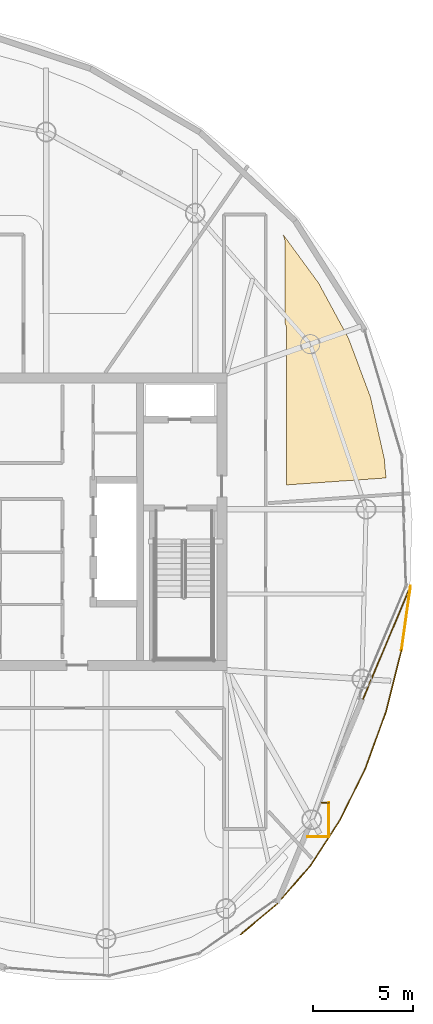
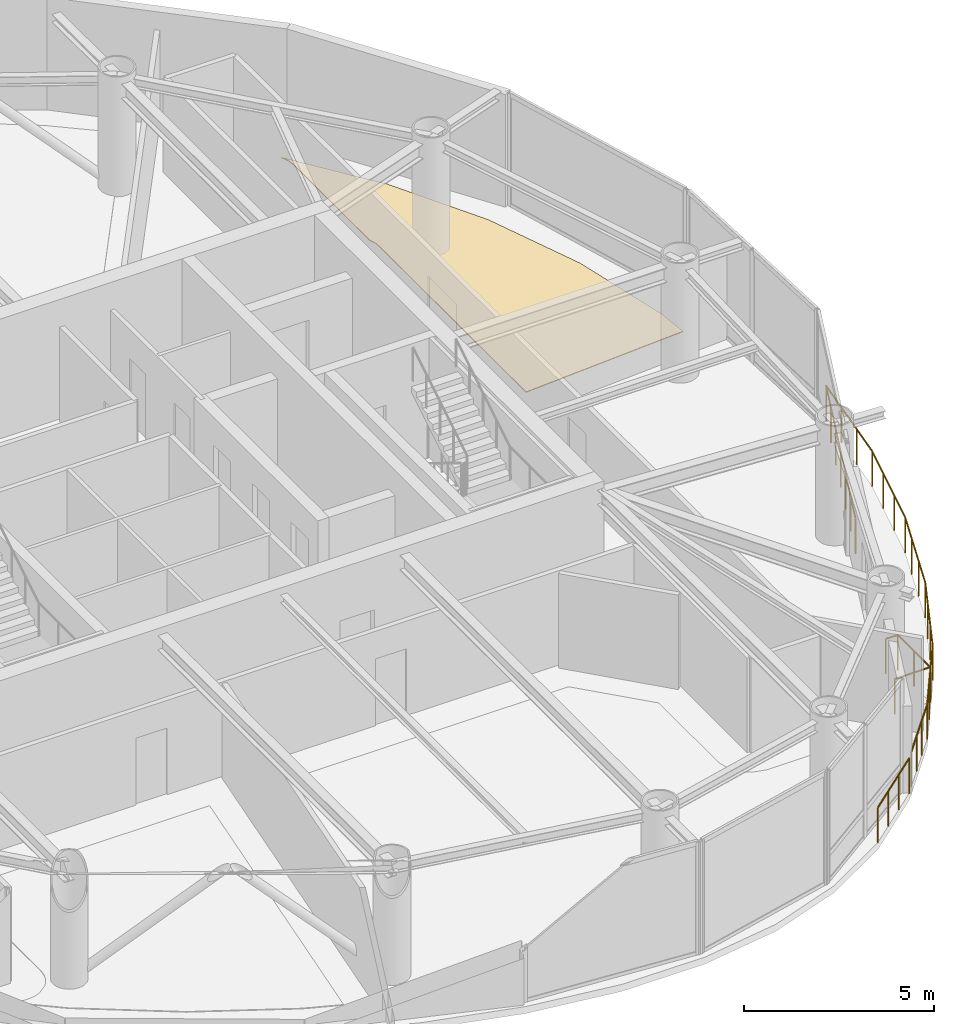
# One storey, part 22 of 23: 11 railings, 1 covering.
"""IFC4 building model written with IfcOpenShell, lengths in metres."""

from ifc_helpers import new_model, si_unit, direction, frame, origin, origin_2d, place, context, subcontext, project, spatial, polyline, circle, outline, extrude, material, layer, layer_set, type_object, element, save


model = new_model("IFC4")

# Units and contexts
model_context = context("Model", 3, precision=1e-05, world=origin(), true_north=direction((0.0, 1.0)))
body_context = subcontext(model_context, "Body", "Model", "MODEL_VIEW")
ifc_project = project(units=[si_unit("LENGTHUNIT", "METRE"), si_unit("AREAUNIT", "SQUARE_METRE"), si_unit("VOLUMEUNIT", "CUBIC_METRE"), si_unit("PLANEANGLEUNIT", "RADIAN"), si_unit("MASSUNIT", "GRAM", prefix="KILO")], contexts=[model_context])

# Site, building, storey
site_placement = place(None, origin())
site = spatial("IfcSite", under=ifc_project, at=site_placement, CompositionType="ELEMENT")
building_placement = place(site_placement, origin())
building = spatial("IfcBuilding", under=site, at=building_placement, Name="Bramvorn Convention Spire", CompositionType="ELEMENT")
storey_placement = place(building_placement, frame((0.0, 0.0, 295.949951171875)))
storey = spatial("IfcBuildingStorey", under=building, at=storey_placement, Name="L75", CompositionType="ELEMENT", Elevation=295.949951171875)

# Covering
ifc_material_1 = material(Name="Honed Dolomitic Limestone Terrazzo Flooring", Category="masonry")
ifc_layer = layer(ifc_material_1, 0.02490234375)
ifc_layer_set = layer_set([ifc_layer], Name="Honed Dolomitic Limestone Terrazzo Flooring - FLR-TERRAZZO-25")
covering_type = type_object("IfcCoveringType", Name="FLR-TERRAZZO-25", PredefinedType="FLOORING", material=ifc_layer_set)
covering_placement = place(storey_placement, origin())
element("IfcCovering", 1, at=covering_placement, inside=storey, type_object=covering_type, Name="L75 Signature Sky Dining Restaurant 1 1 raised floor finish", PredefinedType="FLOORING", context=body_context, shape_type="SweptSolid", body=[
    extrude(outline(polyline([(52.14111328125, 40.20068359375), (52.1689453125, 40.007080078125), (52.169921875, 35.95751953125), (52.233642578125, 35.765869140625), (52.25, 35.60009765625), (52.25, 27.848388671875), (57.232421875, 28.197021484375), (57.1416015625, 29.18017578125), (56.448974609375, 32.2587890625), (55.3486328125, 35.2060546875), (53.85107421875, 37.972900390625), (52.0517578125, 40.42919921875), (52.14111328125, 40.20068359375)])), origin(), (0.0, 0.0, 1.0), 0.025146484375),
])

# Railings
ifc_material_2 = material(Name="Bronze Cap-Rail & Laminated Structural Glass Balustrade", Category="glass")
railing_type = type_object("IfcRailingType", Name="RL-TERR-GUARD-1150", PredefinedType="GUARDRAIL", material=ifc_material_2)
railing_1_placement = place(storey_placement, frame((54.0087890625, 11.916259765625, 0.0)))
element("IfcRailing", 2, at=railing_1_placement, inside=storey, type_object=railing_type, Name="L75 Sky Garden perimeter safety guardrail 1", PredefinedType="GUARDRAIL", context=body_context, shape_type="SweptSolid", body=[
    extrude(circle(Radius=0.02392578125, at=origin_2d()), frame((0.0, 0.0, 1.1259765625), z_axis=(0.999746048799, -0.022535259297, 0.0), x_axis=(0.022535259297, 0.999746048799, 0.0)), (0.0, 0.0, 1.0), 0.357421875),
    extrude(circle(Radius=0.02099609375, at=origin_2d()), origin(), (0.0, 0.0, 1.0), 1.101806640625),
    extrude(circle(Radius=0.02099609375, at=origin_2d()), frame((0.357421875, -0.008056640625, 0.0)), (0.0, 0.0, 1.0), 1.101806640625),
])
railing_2_placement = place(storey_placement, frame((54.3662109375, 11.908203125, 0.0)))
element("IfcRailing", 3, at=railing_2_placement, inside=storey, type_object=railing_type, Name="L75 Sky Garden perimeter safety guardrail 2", PredefinedType="GUARDRAIL", context=body_context, shape_type="SweptSolid", body=[
    extrude(circle(Radius=0.02392578125, at=origin_2d()), frame((0.0, 0.0, 1.1259765625), z_axis=(-0.000429368788, -0.999999907821, 0.0), x_axis=(0.999999907821, -0.000429368788, 0.0)), (0.0, 0.0, 1.0), 1.705810546875),
    extrude(circle(Radius=0.02099609375, at=origin_2d()), origin(), (0.0, 0.0, 1.0), 1.101806640625),
    extrude(circle(Radius=0.02099609375, at=origin_2d()), frame((-0.00048828125, -0.85302734375, 0.0)), (0.0, 0.0, 1.0), 1.101806640625),
    extrude(circle(Radius=0.02099609375, at=origin_2d()), frame((-0.000732421875, -1.705810546875, 0.0)), (0.0, 0.0, 1.0), 1.101806640625),
])
railing_3_placement = place(storey_placement, frame((54.365478515625, 10.202392578125, 0.0)))
element("IfcRailing", 4, at=railing_3_placement, inside=storey, type_object=railing_type, Name="L75 Sky Garden perimeter safety guardrail 3", PredefinedType="GUARDRAIL", context=body_context, shape_type="SweptSolid", body=[
    extrude(circle(Radius=0.02392578125, at=origin_2d()), frame((0.0, 0.0, 1.1259765625), z_axis=(-0.999983888169, -0.005676566123, 0.0), x_axis=(0.005676566123, -0.999983888169, 0.0)), (0.0, 0.0, 1.0), 1.0751953125),
    extrude(circle(Radius=0.02099609375, at=origin_2d()), origin(), (0.0, 0.0, 1.0), 1.101806640625),
    extrude(circle(Radius=0.02099609375, at=origin_2d()), frame((-1.0751953125, -0.006103515625, 0.0)), (0.0, 0.0, 1.0), 1.101806640625),
])
railing_4_placement = place(storey_placement, frame((51.98779296875, 7.07861328125, 0.0)))
element("IfcRailing", 5, at=railing_4_placement, inside=storey, type_object=railing_type, Name="L75 Sky Garden perimeter safety guardrail 4", PredefinedType="GUARDRAIL", context=body_context, shape_type="SweptSolid", body=[
    extrude(circle(Radius=0.02392578125, at=origin_2d()), frame((0.0, 0.0, 1.1259765625), z_axis=(0.654518535363, 0.756045955525, 0.0), x_axis=(-0.756045955525, 0.654518535363, 0.0)), (0.0, 0.0, 1.0), 2.23388671875),
    extrude(circle(Radius=0.02099609375, at=origin_2d()), origin(), (0.0, 0.0, 1.0), 1.101806640625),
    extrude(circle(Radius=0.02099609375, at=origin_2d()), frame((0.4873046875, 0.56298828125, 0.0)), (0.0, 0.0, 1.0), 1.101806640625),
    extrude(circle(Radius=0.02099609375, at=origin_2d()), frame((0.974853515625, 1.1259765625, 0.0)), (0.0, 0.0, 1.0), 1.101806640625),
    extrude(circle(Radius=0.02099609375, at=origin_2d()), frame((1.462158203125, 1.68896484375, 0.0)), (0.0, 0.0, 1.0), 1.101806640625),
])
railing_5_placement = place(storey_placement, frame((53.449951171875, 8.767578125, 0.0)))
element("IfcRailing", 6, at=railing_5_placement, inside=storey, type_object=railing_type, Name="L75 Sky Garden perimeter safety guardrail 5", PredefinedType="GUARDRAIL", context=body_context, shape_type="SweptSolid", body=[
    extrude(circle(Radius=0.02392578125, at=origin_2d()), frame((0.0, 0.0, 1.1259765625), z_axis=(0.544658942063, 0.838657639822, 0.0), x_axis=(-0.838657639822, 0.544658942063, 0.0)), (0.0, 0.0, 1.0), 2.709716796875),
    extrude(circle(Radius=0.02099609375, at=origin_2d()), origin(), (0.0, 0.0, 1.0), 1.101806640625),
    extrude(circle(Radius=0.02099609375, at=origin_2d()), frame((0.491943359375, 0.757568359375, 0.0)), (0.0, 0.0, 1.0), 1.101806640625),
    extrude(circle(Radius=0.02099609375, at=origin_2d()), frame((0.98388671875, 1.514892578125, 0.0)), (0.0, 0.0, 1.0), 1.101806640625),
    extrude(circle(Radius=0.02099609375, at=origin_2d()), frame((1.475830078125, 2.2724609375, 0.0)), (0.0, 0.0, 1.0), 1.101806640625),
])
railing_6_placement = place(storey_placement, frame((54.92578125, 11.0400390625, 0.0)))
element("IfcRailing", 7, at=railing_6_placement, inside=storey, type_object=railing_type, Name="L75 Sky Garden perimeter safety guardrail 6", PredefinedType="GUARDRAIL", context=body_context, shape_type="SweptSolid", body=[
    extrude(circle(Radius=0.02392578125, at=origin_2d()), frame((0.0, 0.0, 1.1259765625), z_axis=(0.440840508669, 0.897585453267, 0.0), x_axis=(-0.897585453267, 0.440840508669, 0.0)), (0.0, 0.0, 1.0), 2.885986328125),
    extrude(circle(Radius=0.02099609375, at=origin_2d()), origin(), (0.0, 0.0, 1.0), 1.101806640625),
    extrude(circle(Radius=0.02099609375, at=origin_2d()), frame((0.424072265625, 0.863525390625, 0.0)), (0.0, 0.0, 1.0), 1.101806640625),
    extrude(circle(Radius=0.02099609375, at=origin_2d()), frame((0.84814453125, 1.726806640625, 0.0)), (0.0, 0.0, 1.0), 1.101806640625),
    extrude(circle(Radius=0.02099609375, at=origin_2d()), frame((1.272216796875, 2.59033203125, 0.0)), (0.0, 0.0, 1.0), 1.101806640625),
])
railing_7_placement = place(storey_placement, frame((56.197998046875, 13.63037109375, 0.0)))
element("IfcRailing", 8, at=railing_7_placement, inside=storey, type_object=railing_type, Name="L75 Sky Garden perimeter safety guardrail 7", PredefinedType="GUARDRAIL", context=body_context, shape_type="SweptSolid", body=[
    extrude(circle(Radius=0.02392578125, at=origin_2d()), frame((0.0, 0.0, 1.1259765625), z_axis=(0.34160134652, 0.939844944688, 0.0), x_axis=(-0.939844944688, 0.34160134652, 0.0)), (0.0, 0.0, 1.0), 3.043212890625),
    extrude(circle(Radius=0.02099609375, at=origin_2d()), origin(), (0.0, 0.0, 1.0), 1.101806640625),
    extrude(circle(Radius=0.02099609375, at=origin_2d()), frame((0.346435546875, 0.953369140625, 0.0)), (0.0, 0.0, 1.0), 1.101806640625),
    extrude(circle(Radius=0.02099609375, at=origin_2d()), frame((0.693115234375, 1.90673828125, 0.0)), (0.0, 0.0, 1.0), 1.101806640625),
    extrude(circle(Radius=0.02099609375, at=origin_2d()), frame((1.03955078125, 2.860107421875, 0.0)), (0.0, 0.0, 1.0), 1.101806640625),
])
railing_8_placement = place(storey_placement, frame((57.237548828125, 16.490478515625, 0.0)))
element("IfcRailing", 9, at=railing_8_placement, inside=storey, type_object=railing_type, Name="L75 Sky Garden perimeter safety guardrail 8", PredefinedType="GUARDRAIL", context=body_context, shape_type="SweptSolid", body=[
    extrude(circle(Radius=0.02392578125, at=origin_2d()), frame((0.0, 0.0, 1.1259765625), z_axis=(0.242771437174, 0.970083516659, 0.0), x_axis=(-0.970083516659, 0.242771437174, 0.0)), (0.0, 0.0, 1.0), 3.166748046875),
    extrude(circle(Radius=0.02099609375, at=origin_2d()), origin(), (0.0, 0.0, 1.0), 1.101806640625),
    extrude(circle(Radius=0.02099609375, at=origin_2d()), frame((0.25634765625, 1.02392578125, 0.0)), (0.0, 0.0, 1.0), 1.101806640625),
    extrude(circle(Radius=0.02099609375, at=origin_2d()), frame((0.512451171875, 2.048095703125, 0.0)), (0.0, 0.0, 1.0), 1.101806640625),
    extrude(circle(Radius=0.02099609375, at=origin_2d()), frame((0.768798828125, 3.072021484375, 0.0)), (0.0, 0.0, 1.0), 1.101806640625),
])
railing_9_placement = place(storey_placement, frame((58.00634765625, 19.5625, 0.0)))
element("IfcRailing", 10, at=railing_9_placement, inside=storey, type_object=railing_type, Name="L75 Sky Garden perimeter safety guardrail 9", PredefinedType="GUARDRAIL", context=body_context, shape_type="SweptSolid", body=[
    extrude(circle(Radius=0.02392578125, at=origin_2d()), frame((0.0, 0.0, 1.1259765625), z_axis=(0.139759075859, 0.990185538531, 0.0), x_axis=(-0.990185538531, 0.139759075859, 0.0)), (0.0, 0.0, 1.0), 3.249267578125),
    extrude(circle(Radius=0.02099609375, at=origin_2d()), origin(), (0.0, 0.0, 1.0), 1.101806640625),
    extrude(circle(Radius=0.02099609375, at=origin_2d()), frame((0.1513671875, 1.072509765625, 0.0)), (0.0, 0.0, 1.0), 1.101806640625),
    extrude(circle(Radius=0.02099609375, at=origin_2d()), frame((0.302734375, 2.144775390625, 0.0)), (0.0, 0.0, 1.0), 1.101806640625),
    extrude(circle(Radius=0.02099609375, at=origin_2d()), frame((0.4541015625, 3.21728515625, 0.0)), (0.0, 0.0, 1.0), 1.101806640625),
])
railing_10_placement = place(storey_placement, frame((58.46044921875, 22.77978515625, 0.0)))
element("IfcRailing", 11, at=railing_10_placement, inside=storey, type_object=railing_type, Name="L75 Sky Garden perimeter safety guardrail 10", PredefinedType="GUARDRAIL", context=body_context, shape_type="SweptSolid", body=[
    extrude(circle(Radius=0.02392578125, at=origin_2d()), frame((0.0, 0.0, 1.1259765625), z_axis=(-0.386909712018, -0.922117603534, 0.0), x_axis=(0.922117603534, -0.386909712018, 0.0)), (0.0, 0.0, 1.0), 6.147216796875),
    extrude(circle(Radius=0.02099609375, at=origin_2d()), origin(), (0.0, 0.0, 1.0), 1.101806640625),
    extrude(circle(Radius=0.02099609375, at=origin_2d()), frame((-0.396484375, -0.94482421875, 0.0)), (0.0, 0.0, 1.0), 1.101806640625),
    extrude(circle(Radius=0.02099609375, at=origin_2d()), frame((-0.792724609375, -1.889404296875, 0.0)), (0.0, 0.0, 1.0), 1.101806640625),
    extrude(circle(Radius=0.02099609375, at=origin_2d()), frame((-1.189208984375, -2.834228515625, 0.0)), (0.0, 0.0, 1.0), 1.101806640625),
    extrude(circle(Radius=0.02099609375, at=origin_2d()), frame((-1.585693359375, -3.779052734375, 0.0)), (0.0, 0.0, 1.0), 1.101806640625),
    extrude(circle(Radius=0.02099609375, at=origin_2d()), frame((-1.98193359375, -4.7236328125, 0.0)), (0.0, 0.0, 1.0), 1.101806640625),
    extrude(circle(Radius=0.02099609375, at=origin_2d()), frame((-2.37841796875, -5.66845703125, 0.0)), (0.0, 0.0, 1.0), 1.101806640625),
])
railing_11_placement = place(storey_placement, frame((51.78857421875, 6.84814453125, 0.0)))
element("IfcRailing", 12, at=railing_11_placement, inside=storey, type_object=railing_type, Name="L75 Sky Garden junction edge safety guardrail 11", PredefinedType="GUARDRAIL", context=body_context, shape_type="SweptSolid", body=[
    extrude(circle(Radius=0.02392578125, at=origin_2d()), frame((0.0, 0.0, 1.1259765625), z_axis=(-0.766191543126, -0.642612261976, 0.0), x_axis=(0.642612261976, -0.766191543126, 0.0)), (0.0, 0.0, 1.0), 2.400390625),
    extrude(circle(Radius=0.02099609375, at=origin_2d()), origin(), (0.0, 0.0, 1.0), 1.101806640625),
    extrude(circle(Radius=0.02099609375, at=origin_2d()), frame((-0.613037109375, -0.51416015625, 0.0)), (0.0, 0.0, 1.0), 1.101806640625),
    extrude(circle(Radius=0.02099609375, at=origin_2d()), frame((-1.22607421875, -1.0283203125, 0.0)), (0.0, 0.0, 1.0), 1.101806640625),
    extrude(circle(Radius=0.02099609375, at=origin_2d()), frame((-1.839111328125, -1.54248046875, 0.0)), (0.0, 0.0, 1.0), 1.101806640625),
])

save(model, "model.ifc")
